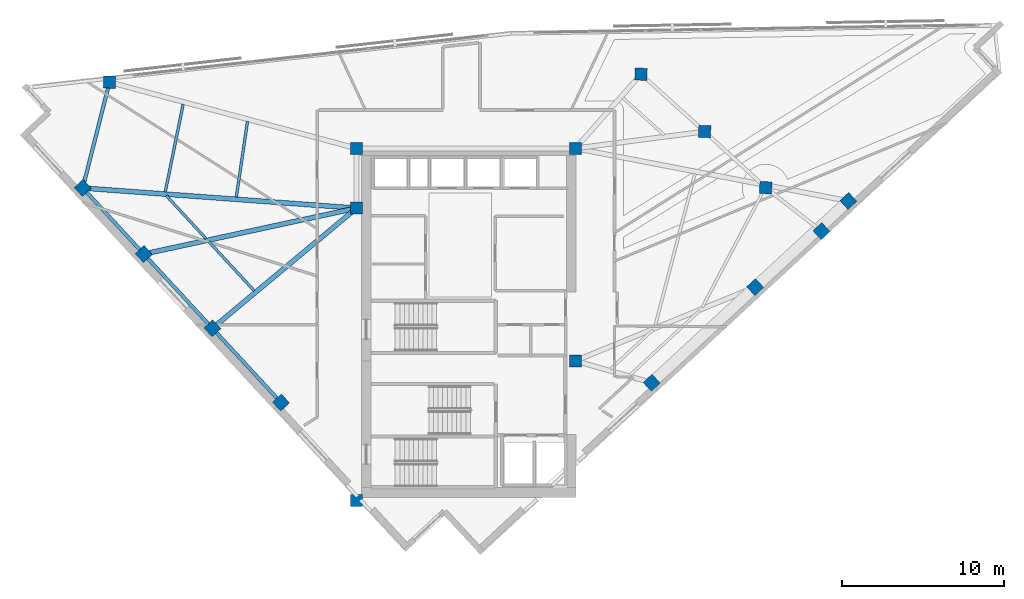
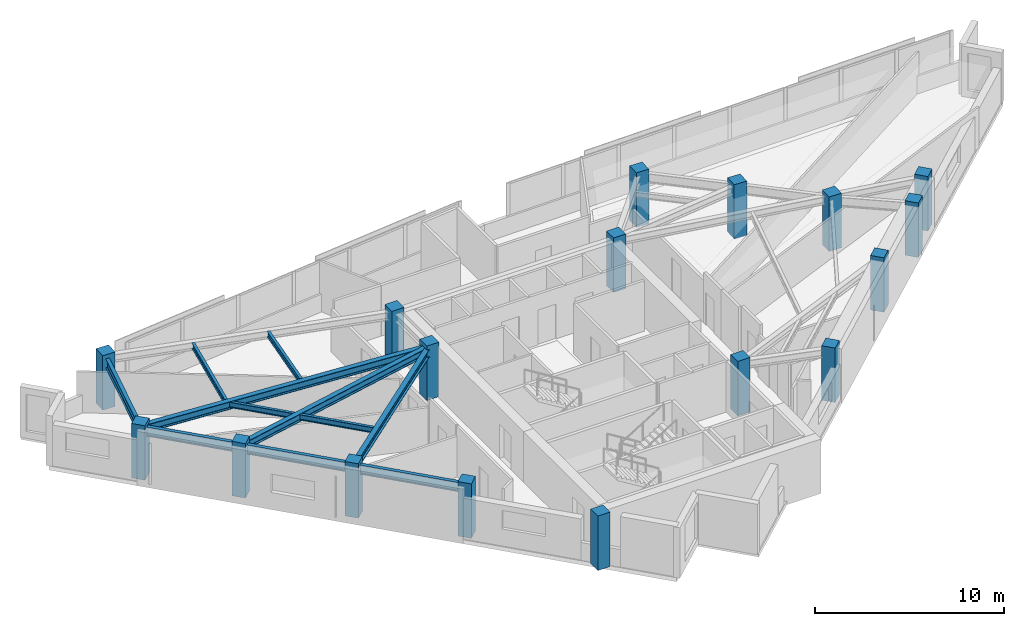
# One storey, part 1 of 13: 17 columns, 11 beams.
"""IFC4 building model written with IfcOpenShell, lengths in metres."""

from ifc_helpers import new_model, si_unit, direction, frame, origin, origin_2d, place, context, subcontext, project, spatial, rectangle, i_section, extrude, material, material_profile, profile_set, type_object, element, save


model = new_model("IFC4")

# Units and contexts
model_context = context("Model", 3, precision=1e-05, world=origin(), true_north=direction((0.0, 1.0)))
body_context = subcontext(model_context, "Body", "Model", "MODEL_VIEW")
ifc_project = project(units=[si_unit("LENGTHUNIT", "METRE"), si_unit("AREAUNIT", "SQUARE_METRE"), si_unit("VOLUMEUNIT", "CUBIC_METRE"), si_unit("PLANEANGLEUNIT", "RADIAN"), si_unit("MASSUNIT", "GRAM", prefix="KILO")], contexts=[model_context])

# Site, building, storey
site_placement = place(None, origin())
site = spatial("IfcSite", under=ifc_project, at=site_placement, CompositionType="ELEMENT")
building_placement = place(site_placement, origin())
building = spatial("IfcBuilding", under=site, at=building_placement, Name="Narakoshi Arena Tower", CompositionType="ELEMENT")
storey_placement = place(building_placement, frame((0.0, 0.0, 271.300048828125)))
storey = spatial("IfcBuildingStorey", under=building, at=storey_placement, Name="L74", CompositionType="ELEMENT", Elevation=271.300048828125)

# Columns
ifc_material_1 = material(Name="Concrete C50/60", Category="concrete")
ifc_material_profile_1 = material_profile(ifc_material_1, rectangle(XDim=0.75, YDim=0.75, at=origin_2d()), Name="RC750x750")
ifc_profile_set_1 = profile_set([ifc_material_profile_1], Name="Concrete C50/60")
column_type = type_object("IfcColumnType", Name="COL-RC750", PredefinedType="COLUMN", material=ifc_profile_set_1)
for number, where, z_axis, x_axis, name in (
    (1, (72.0, 34.699951171875, 0.0), (0.0, 0.0, 1.0), (1.0, 0.0, 0.0), "L74 Core Structural Column CC1"),
    (2, (85.550048828125, 43.35009765625, 0.0), (0.0, 0.0, 1.0), (1.0, 0.0, 0.0), "L74 Core Structural Column CC3"),
    (3, (72.0, 52.800048828125, 0.0), (0.0, 0.0, 1.0), (1.0, 0.0, 0.0), "L74 Core Structural Column CC4"),
    (4, (72.0, 56.5, 0.0), (0.0, 0.0, 1.0), (1.0, 0.0, 0.0), "L74 Core Structural Column CC5"),
    (5, (85.550048828125, 56.5, 0.0), (0.0, 0.0, 1.0), (1.0, 0.0, 0.0), "L74 Core Structural Column CC6"),
    (6, (90.2734375, 41.992919921875, 0.0), (0.0, 0.0, 1.0), (0.734322509436, 0.678800745533, 0.0), "L74 Tower Perimeter Column TC01"),
    (7, (96.6787109375, 47.913818359375, 0.0), (0.0, 0.0, 1.0), (0.734322509436, 0.678800745533, 0.0), "L74 Tower Perimeter Column TC02"),
    (8, (102.443359375, 53.242431640625, 0.0), (0.0, 0.0, 1.0), (0.734322509436, 0.678800745533, 0.0), "L74 Tower Perimeter Column TC03"),
    (9, (100.78173828125, 51.379638671875, 0.0), (0.0, 0.0, 1.0), (0.734322509436, 0.678800745533, 0.0), "L74 Tower Perimeter Column TC04"),
    (10, (97.3291015625, 54.0654296875, 0.0), (0.0, 0.0, 1.0), (0.039259815759, 0.999229036241, 0.0), "L74 Tower Perimeter Column TC05"),
    (11, (93.55029296875, 57.543701171875, 0.0), (0.0, 0.0, 1.0), (0.039259815759, 0.999229036241, 0.0), "L74 Tower Perimeter Column TC06"),
    (12, (89.611328125, 61.09033203125, 0.0), (0.0, 0.0, 1.0), (0.039259815759, 0.999229036241, 0.0), "L74 Tower Perimeter Column TC07"),
    (13, (56.717041015625, 60.59814453125, 0.0), (0.0, 0.0, 1.0), (0.039259815759, 0.999229036241, 0.0), "L74 Tower Perimeter Column TC10"),
    (14, (55.05810546875, 54.04638671875, 0.0), (0.0, 0.0, 1.0), (-0.678800745533, 0.734322509436, 0.0), "L74 Tower Perimeter Column TC13"),
    (15, (58.8349609375, 49.960693359375, 0.0), (0.0, 0.0, 1.0), (-0.678800745533, 0.734322509436, 0.0), "L74 Tower Perimeter Column TC14"),
    (16, (63.083984375, 45.3642578125, 0.0), (0.0, 0.0, 1.0), (-0.678800745533, 0.734322509436, 0.0), "L74 Tower Perimeter Column TC15"),
    (17, (67.332763671875, 40.767578125, 0.0), (0.0, 0.0, 1.0), (-0.678800745533, 0.734322509436, 0.0), "L74 Tower Perimeter Column TC16"),
):
    element("IfcColumn", number, at=place(storey_placement, frame(where, z_axis=z_axis, x_axis=x_axis)), inside=storey, type_object=column_type, Name=name, PredefinedType="COLUMN", context=body_context, shape_type="SweptSolid", body=[
        extrude(rectangle(XDim=0.75, YDim=0.75, at=origin_2d()), origin(), (0.0, 0.0, 1.0), 3.52001953125),
    ])

# Beams
ifc_material_2 = material(Name="Structural steel S355J2", Category="steel")
ifc_material_profile_2 = material_profile(ifc_material_2, i_section(OverallWidth=0.219970703125, OverallDepth=0.60009765625, WebThickness=0.011962890625, FlangeThickness=0.01904296875, FilletRadius=0.02392578125, at=origin_2d()), Name="IPE600")
ifc_profile_set_2 = profile_set([ifc_material_profile_2], Name="Structural steel S355J2")
beam_type_1 = type_object("IfcBeamType", Name="BM-EDGE-600", PredefinedType="BEAM", material=ifc_profile_set_2)
beam_1_placement = place(storey_placement, frame((56.717041015625, 60.59814453125, 2.9599609375), z_axis=(-0.245458392699, -0.969407126781, 0.0), x_axis=(0.969407126781, -0.245458392699, 0.0)))
element("IfcBeam", 18, at=beam_1_placement, inside=storey, type_object=beam_type_1, Name="L74 Perimeter Edge Girder 08", PredefinedType="BEAM", context=body_context, shape_type="SweptSolid", body=[
    extrude(i_section(OverallWidth=0.219970703125, OverallDepth=0.60009765625, WebThickness=0.011962890625, FlangeThickness=0.01904296875, FilletRadius=0.02392578125, at=origin_2d()), origin(), (0.0, 0.0, 1.0), 6.758544921875),
])
beam_2_placement = place(storey_placement, frame((55.05810546875, 54.04638671875, 2.9599609375), z_axis=(0.678808438166, -0.734315398365, 0.0), x_axis=(0.734315398365, 0.678808438166, 0.0)))
element("IfcBeam", 19, at=beam_2_placement, inside=storey, type_object=beam_type_1, Name="L74 Perimeter Edge Girder 09", PredefinedType="BEAM", context=body_context, shape_type="SweptSolid", body=[
    extrude(i_section(OverallWidth=0.219970703125, OverallDepth=0.60009765625, WebThickness=0.011962890625, FlangeThickness=0.01904296875, FilletRadius=0.02392578125, at=origin_2d()), origin(), (0.0, 0.0, 1.0), 5.56396484375),
])
for number, where, z_axis, x_axis, name in (
    (20, (58.8349609375, 49.960693359375, 2.9599609375), (0.678811265787, -0.734312784473, 0.0), (0.734312784473, 0.678811265787, 0.0), "L74 Perimeter Edge Girder 10"),
    (21, (63.083984375, 45.3642578125, 2.9599609375), (0.678770792221, -0.734350196859, 0.0), (0.734350196859, 0.678770792221, 0.0), "L74 Perimeter Edge Girder 11"),
):
    element("IfcBeam", number, at=place(storey_placement, frame(where, z_axis=z_axis, x_axis=x_axis)), inside=storey, type_object=beam_type_1, Name=name, PredefinedType="BEAM", context=body_context, shape_type="SweptSolid", body=[
        extrude(i_section(OverallWidth=0.219970703125, OverallDepth=0.60009765625, WebThickness=0.011962890625, FlangeThickness=0.01904296875, FilletRadius=0.02392578125, at=origin_2d()), origin(), (0.0, 0.0, 1.0), 6.259521484375),
    ])
ifc_material_profile_3 = material_profile(ifc_material_2, i_section(OverallWidth=0.300048828125, OverallDepth=0.5, WebThickness=0.014404296875, FlangeThickness=0.028076171875, FilletRadius=0.027099609375, at=origin_2d()), Name="HE500B")
ifc_profile_set_3 = profile_set([ifc_material_profile_3], Name="Structural steel S355J2")
beam_type_2 = type_object("IfcBeamType", Name="BM-PRI-500", PredefinedType="BEAM", material=ifc_profile_set_3)
beam_3_placement = place(storey_placement, frame((72.0, 52.800048828125, 3.010009765625), z_axis=(-0.997304997013, 0.073367178859, 0.0), x_axis=(-0.073367178859, -0.997304997013, 0.0)))
element("IfcBeam", 22, at=beam_3_placement, inside=storey, type_object=beam_type_2, Name="L74 Radial Primary Floor Girder 09", PredefinedType="BEAM", context=body_context, shape_type="SweptSolid", body=[
    extrude(i_section(OverallWidth=0.300048828125, OverallDepth=0.5, WebThickness=0.014404296875, FlangeThickness=0.028076171875, FilletRadius=0.027099609375, at=origin_2d()), origin(), (0.0, 0.0, 1.0), 16.98779296875),
])
beam_4_placement = place(storey_placement, frame((72.0, 52.800048828125, 3.010009765625), z_axis=(-0.977523534755, -0.210826324256, 0.0), x_axis=(0.210826324256, -0.977523534755, 0.0)))
element("IfcBeam", 23, at=beam_4_placement, inside=storey, type_object=beam_type_2, Name="L74 Radial Primary Floor Girder 10", PredefinedType="BEAM", context=body_context, shape_type="SweptSolid", body=[
    extrude(i_section(OverallWidth=0.300048828125, OverallDepth=0.5, WebThickness=0.014404296875, FlangeThickness=0.028076171875, FilletRadius=0.027099609375, at=origin_2d()), origin(), (0.0, 0.0, 1.0), 13.4677734375),
])
beam_5_placement = place(storey_placement, frame((72.0, 52.800048828125, 3.010009765625), z_axis=(-0.767976460513, -0.640478068397, 0.0), x_axis=(0.640478068397, -0.767976460513, 0.0)))
element("IfcBeam", 24, at=beam_5_placement, inside=storey, type_object=beam_type_2, Name="L74 Radial Primary Floor Girder 11", PredefinedType="BEAM", context=body_context, shape_type="SweptSolid", body=[
    extrude(i_section(OverallWidth=0.300048828125, OverallDepth=0.5, WebThickness=0.014404296875, FlangeThickness=0.028076171875, FilletRadius=0.027099609375, at=origin_2d()), origin(), (0.0, 0.0, 1.0), 11.60986328125),
])
ifc_material_profile_4 = material_profile(ifc_material_2, i_section(OverallWidth=0.169921875, OverallDepth=0.360107421875, WebThickness=0.008056640625, FlangeThickness=0.0126953125, FilletRadius=0.01806640625, at=origin_2d()), Name="IPE360")
ifc_profile_set_4 = profile_set([ifc_material_profile_4], Name="Structural steel S355J2")
beam_type_3 = type_object("IfcBeamType", Name="BM-SEC-360", PredefinedType="JOIST", material=ifc_profile_set_4)
beam_6_placement = place(storey_placement, frame((65.255859375, 58.169677734375, 3.079833984375), z_axis=(-0.145762470348, -0.989319615816, 0.0), x_axis=(0.989319615816, -0.145762470348, 0.0)))
element("IfcBeam", 25, at=beam_6_placement, inside=storey, type_object=beam_type_3, Name="L74 Composite Secondary Floor Joist 06", PredefinedType="JOIST", context=body_context, shape_type="SweptSolid", body=[
    extrude(i_section(OverallWidth=0.169921875, OverallDepth=0.360107421875, WebThickness=0.008056640625, FlangeThickness=0.0126953125, FilletRadius=0.01806640625, at=origin_2d()), origin(), (0.0, 0.0, 1.0), 4.73828125),
])
beam_7_placement = place(storey_placement, frame((61.27490234375, 59.236328125, 3.079833984375), z_axis=(-0.199731342868, -0.979850698156, 0.0), x_axis=(0.979850698156, -0.199731342868, 0.0)))
element("IfcBeam", 26, at=beam_7_placement, inside=storey, type_object=beam_type_3, Name="L74 Composite Secondary Floor Joist 07", PredefinedType="JOIST", context=body_context, shape_type="SweptSolid", body=[
    extrude(i_section(OverallWidth=0.169921875, OverallDepth=0.360107421875, WebThickness=0.008056640625, FlangeThickness=0.0126953125, FilletRadius=0.01806640625, at=origin_2d()), origin(), (0.0, 0.0, 1.0), 5.543212890625),
])
beam_8_placement = place(storey_placement, frame((60.232421875, 53.5732421875, 3.079833984375), z_axis=(0.678811454839, -0.73431260971, 0.0), x_axis=(0.73431260971, 0.678811454839, 0.0)))
element("IfcBeam", 27, at=beam_8_placement, inside=storey, type_object=beam_type_3, Name="L74 Composite Secondary Floor Joist 08", PredefinedType="JOIST", context=body_context, shape_type="SweptSolid", body=[
    extrude(i_section(OverallWidth=0.169921875, OverallDepth=0.360107421875, WebThickness=0.008056640625, FlangeThickness=0.0126953125, FilletRadius=0.01806640625, at=origin_2d()), origin(), (0.0, 0.0, 1.0), 3.624755859375),
])
beam_9_placement = place(storey_placement, frame((62.876220703125, 50.71337890625, 3.079833984375), z_axis=(0.678770736096, -0.734350248736, 0.0), x_axis=(0.734350248736, 0.678770736096, 0.0)))
element("IfcBeam", 28, at=beam_9_placement, inside=storey, type_object=beam_type_3, Name="L74 Composite Secondary Floor Joist 09", PredefinedType="JOIST", context=body_context, shape_type="SweptSolid", body=[
    extrude(i_section(OverallWidth=0.169921875, OverallDepth=0.360107421875, WebThickness=0.008056640625, FlangeThickness=0.0126953125, FilletRadius=0.01806640625, at=origin_2d()), origin(), (0.0, 0.0, 1.0), 4.111572265625),
])

save(model, "model.ifc")
